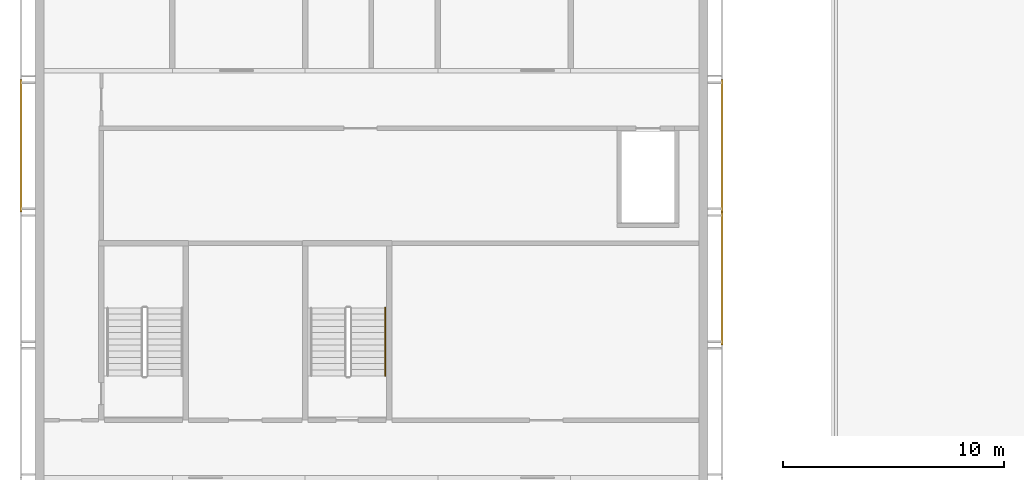
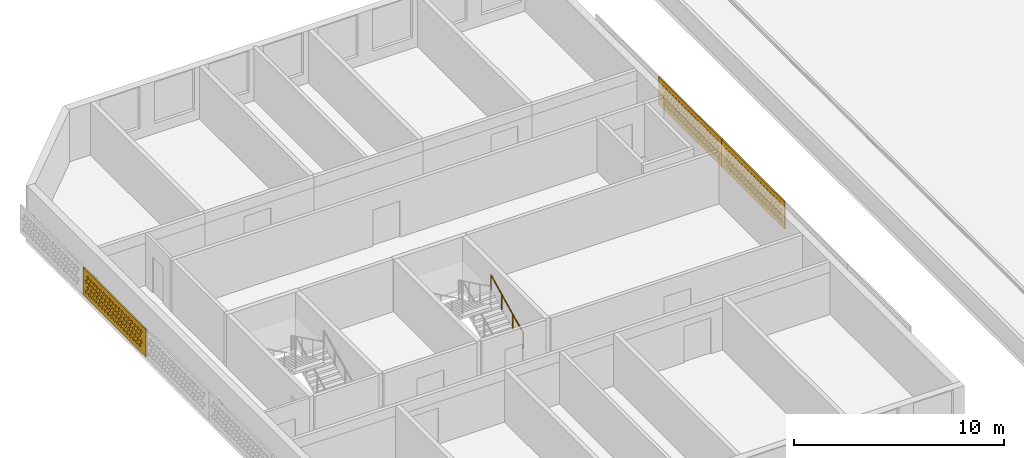
# One storey, part 14 of 18: 3 coverings, 1 railing.
"""IFC4 building model written with IfcOpenShell, lengths in metres."""

from ifc_helpers import new_model, si_unit, direction, frame, origin, origin_2d, place, context, subcontext, project, spatial, polyline, circle, outline, extrude, source, transform, mapped, material, material_profile, profile_set, type_object, element, save


model = new_model("IFC4")

# Units and contexts
model_context = context("Model", 3, precision=1e-05, world=origin(), true_north=direction((0.0, 1.0)))
body_context = subcontext(model_context, "Body", "Model", "MODEL_VIEW")
ifc_project = project(units=[si_unit("LENGTHUNIT", "METRE"), si_unit("AREAUNIT", "SQUARE_METRE"), si_unit("VOLUMEUNIT", "CUBIC_METRE"), si_unit("PLANEANGLEUNIT", "RADIAN"), si_unit("MASSUNIT", "GRAM", prefix="KILO")], contexts=[model_context])

# Site, building, storey
site_placement = place(None, origin())
site = spatial("IfcSite", under=ifc_project, at=site_placement, CompositionType="ELEMENT")
building_placement = place(site_placement, origin())
building = spatial("IfcBuilding", under=site, at=building_placement, Name="Poui Terraces", CompositionType="ELEMENT")
storey_placement = place(building_placement, frame((0.0, 0.0, 285.60009765625)))
storey = spatial("IfcBuildingStorey", under=building, at=storey_placement, Name="L79 CROWN", CompositionType="ELEMENT", Elevation=285.60009765625)

# Railing
ifc_material_1 = material(Name="Stainless steel handrail", Category="steel")
railing_type = type_object("IfcRailingType", Name="STAIR HANDRAIL 900", PredefinedType="HANDRAIL", material=ifc_material_1)
railing_placement = place(storey_placement, frame((33.625, 16.60009765625, 0.137451171875)))
element("IfcRailing", 1, at=railing_placement, inside=storey, type_object=railing_type, Name="L79 CROWN ST-CW stair handrail 1", PredefinedType="HANDRAIL", context=body_context, shape_type="SweptSolid", body=[
    extrude(circle(Radius=0.02392578125, at=origin_2d()), frame((0.0, 0.0, 0.8759765625), z_axis=(0.0, 0.897606190399, 0.440798283751), x_axis=(-1.0, 0.0, 0.0)), (0.0, 0.0, 1.0), 3.43115234375),
    extrude(circle(Radius=0.02099609375, at=origin_2d()), origin(), (0.0, 0.0, 1.0), 0.851806640625),
    extrude(circle(Radius=0.02099609375, at=origin_2d()), frame((0.0, 1.026611328125, 0.504150390625)), (0.0, 0.0, 1.0), 0.851806640625),
    extrude(circle(Radius=0.02099609375, at=origin_2d()), frame((0.0, 2.05322265625, 1.00830078125)), (0.0, 0.0, 1.0), 0.851806640625),
    extrude(circle(Radius=0.02099609375, at=origin_2d()), frame((0.0, 3.079833984375, 1.512451171875)), (0.0, 0.0, 1.0), 0.851806640625),
])

# Coverings
ifc_material_2 = material(Name="Terracotta screen", Category="masonry")
ifc_material_profile = material_profile(ifc_material_2, outline(polyline([(-3.0, -0.800048828125), (3.0, -0.800048828125), (3.0, 0.800048828125), (-3.0, 0.800048828125), (-3.0, -0.800048828125)]), holes=[polyline([(-2.800048828125, -0.449951171875), (-2.68994140625, -0.56005859375), (-2.580078125, -0.449951171875), (-2.68994140625, -0.340087890625), (-2.800048828125, -0.449951171875)]), polyline([(-2.5, -0.449951171875), (-2.389892578125, -0.56005859375), (-2.280029296875, -0.449951171875), (-2.389892578125, -0.340087890625), (-2.5, -0.449951171875)]), polyline([(-2.199951171875, -0.449951171875), (-2.090087890625, -0.56005859375), (-1.97998046875, -0.449951171875), (-2.090087890625, -0.340087890625), (-2.199951171875, -0.449951171875)]), polyline([(-1.89990234375, -0.449951171875), (-1.7900390625, -0.56005859375), (-1.679931640625, -0.449951171875), (-1.7900390625, -0.340087890625), (-1.89990234375, -0.449951171875)]), polyline([(-1.60009765625, -0.449951171875), (-1.489990234375, -0.56005859375), (-1.3798828125, -0.449951171875), (-1.489990234375, -0.340087890625), (-1.60009765625, -0.449951171875)]), polyline([(-1.300048828125, -0.449951171875), (-1.18994140625, -0.56005859375), (-1.080078125, -0.449951171875), (-1.18994140625, -0.340087890625), (-1.300048828125, -0.449951171875)]), polyline([(-1.0, -0.449951171875), (-0.889892578125, -0.56005859375), (-0.780029296875, -0.449951171875), (-0.889892578125, -0.340087890625), (-1.0, -0.449951171875)]), polyline([(-0.699951171875, -0.449951171875), (-0.590087890625, -0.56005859375), (-0.47998046875, -0.449951171875), (-0.590087890625, -0.340087890625), (-0.699951171875, -0.449951171875)]), polyline([(-0.39990234375, -0.449951171875), (-0.2900390625, -0.56005859375), (-0.179931640625, -0.449951171875), (-0.2900390625, -0.340087890625), (-0.39990234375, -0.449951171875)]), polyline([(-0.10009765625, -0.449951171875), (0.010009765625, -0.56005859375), (0.1201171875, -0.449951171875), (0.010009765625, -0.340087890625), (-0.10009765625, -0.449951171875)]), polyline([(0.199951171875, -0.449951171875), (0.31005859375, -0.56005859375), (0.419921875, -0.449951171875), (0.31005859375, -0.340087890625), (0.199951171875, -0.449951171875)]), polyline([(0.5, -0.449951171875), (0.610107421875, -0.56005859375), (0.719970703125, -0.449951171875), (0.610107421875, -0.340087890625), (0.5, -0.449951171875)]), polyline([(0.800048828125, -0.449951171875), (0.909912109375, -0.56005859375), (1.02001953125, -0.449951171875), (0.909912109375, -0.340087890625), (0.800048828125, -0.449951171875)]), polyline([(1.10009765625, -0.449951171875), (1.2099609375, -0.56005859375), (1.320068359375, -0.449951171875), (1.2099609375, -0.340087890625), (1.10009765625, -0.449951171875)]), polyline([(1.39990234375, -0.449951171875), (1.510009765625, -0.56005859375), (1.6201171875, -0.449951171875), (1.510009765625, -0.340087890625), (1.39990234375, -0.449951171875)]), polyline([(1.699951171875, -0.449951171875), (1.81005859375, -0.56005859375), (1.919921875, -0.449951171875), (1.81005859375, -0.340087890625), (1.699951171875, -0.449951171875)]), polyline([(2.0, -0.449951171875), (2.110107421875, -0.56005859375), (2.219970703125, -0.449951171875), (2.110107421875, -0.340087890625), (2.0, -0.449951171875)]), polyline([(2.300048828125, -0.449951171875), (2.409912109375, -0.56005859375), (2.52001953125, -0.449951171875), (2.409912109375, -0.340087890625), (2.300048828125, -0.449951171875)]), polyline([(-2.64990234375, -0.14990234375), (-2.5400390625, -0.260009765625), (-2.429931640625, -0.14990234375), (-2.5400390625, -0.0400390625), (-2.64990234375, -0.14990234375)]), polyline([(-2.35009765625, -0.14990234375), (-2.239990234375, -0.260009765625), (-2.1298828125, -0.14990234375), (-2.239990234375, -0.0400390625), (-2.35009765625, -0.14990234375)]), polyline([(-2.050048828125, -0.14990234375), (-1.93994140625, -0.260009765625), (-1.830078125, -0.14990234375), (-1.93994140625, -0.0400390625), (-2.050048828125, -0.14990234375)]), polyline([(-1.75, -0.14990234375), (-1.639892578125, -0.260009765625), (-1.530029296875, -0.14990234375), (-1.639892578125, -0.0400390625), (-1.75, -0.14990234375)]), polyline([(-1.449951171875, -0.14990234375), (-1.340087890625, -0.260009765625), (-1.22998046875, -0.14990234375), (-1.340087890625, -0.0400390625), (-1.449951171875, -0.14990234375)]), polyline([(-1.14990234375, -0.14990234375), (-1.0400390625, -0.260009765625), (-0.929931640625, -0.14990234375), (-1.0400390625, -0.0400390625), (-1.14990234375, -0.14990234375)]), polyline([(-0.85009765625, -0.14990234375), (-0.739990234375, -0.260009765625), (-0.6298828125, -0.14990234375), (-0.739990234375, -0.0400390625), (-0.85009765625, -0.14990234375)]), polyline([(-0.550048828125, -0.14990234375), (-0.43994140625, -0.260009765625), (-0.330078125, -0.14990234375), (-0.43994140625, -0.0400390625), (-0.550048828125, -0.14990234375)]), polyline([(-0.25, -0.14990234375), (-0.139892578125, -0.260009765625), (-0.030029296875, -0.14990234375), (-0.139892578125, -0.0400390625), (-0.25, -0.14990234375)]), polyline([(0.050048828125, -0.14990234375), (0.159912109375, -0.260009765625), (0.27001953125, -0.14990234375), (0.159912109375, -0.0400390625), (0.050048828125, -0.14990234375)]), polyline([(0.35009765625, -0.14990234375), (0.4599609375, -0.260009765625), (0.570068359375, -0.14990234375), (0.4599609375, -0.0400390625), (0.35009765625, -0.14990234375)]), polyline([(0.64990234375, -0.14990234375), (0.760009765625, -0.260009765625), (0.8701171875, -0.14990234375), (0.760009765625, -0.0400390625), (0.64990234375, -0.14990234375)]), polyline([(0.949951171875, -0.14990234375), (1.06005859375, -0.260009765625), (1.169921875, -0.14990234375), (1.06005859375, -0.0400390625), (0.949951171875, -0.14990234375)]), polyline([(1.25, -0.14990234375), (1.360107421875, -0.260009765625), (1.469970703125, -0.14990234375), (1.360107421875, -0.0400390625), (1.25, -0.14990234375)]), polyline([(1.550048828125, -0.14990234375), (1.659912109375, -0.260009765625), (1.77001953125, -0.14990234375), (1.659912109375, -0.0400390625), (1.550048828125, -0.14990234375)]), polyline([(1.85009765625, -0.14990234375), (1.9599609375, -0.260009765625), (2.070068359375, -0.14990234375), (1.9599609375, -0.0400390625), (1.85009765625, -0.14990234375)]), polyline([(2.14990234375, -0.14990234375), (2.260009765625, -0.260009765625), (2.3701171875, -0.14990234375), (2.260009765625, -0.0400390625), (2.14990234375, -0.14990234375)]), polyline([(2.449951171875, -0.14990234375), (2.56005859375, -0.260009765625), (2.669921875, -0.14990234375), (2.56005859375, -0.0400390625), (2.449951171875, -0.14990234375)]), polyline([(-2.800048828125, 0.14990234375), (-2.68994140625, 0.0400390625), (-2.580078125, 0.14990234375), (-2.68994140625, 0.260009765625), (-2.800048828125, 0.14990234375)]), polyline([(-2.5, 0.14990234375), (-2.389892578125, 0.0400390625), (-2.280029296875, 0.14990234375), (-2.389892578125, 0.260009765625), (-2.5, 0.14990234375)]), polyline([(-2.199951171875, 0.14990234375), (-2.090087890625, 0.0400390625), (-1.97998046875, 0.14990234375), (-2.090087890625, 0.260009765625), (-2.199951171875, 0.14990234375)]), polyline([(-1.89990234375, 0.14990234375), (-1.7900390625, 0.0400390625), (-1.679931640625, 0.14990234375), (-1.7900390625, 0.260009765625), (-1.89990234375, 0.14990234375)]), polyline([(-1.60009765625, 0.14990234375), (-1.489990234375, 0.0400390625), (-1.3798828125, 0.14990234375), (-1.489990234375, 0.260009765625), (-1.60009765625, 0.14990234375)]), polyline([(-1.300048828125, 0.14990234375), (-1.18994140625, 0.0400390625), (-1.080078125, 0.14990234375), (-1.18994140625, 0.260009765625), (-1.300048828125, 0.14990234375)]), polyline([(-1.0, 0.14990234375), (-0.889892578125, 0.0400390625), (-0.780029296875, 0.14990234375), (-0.889892578125, 0.260009765625), (-1.0, 0.14990234375)]), polyline([(-0.699951171875, 0.14990234375), (-0.590087890625, 0.0400390625), (-0.47998046875, 0.14990234375), (-0.590087890625, 0.260009765625), (-0.699951171875, 0.14990234375)]), polyline([(-0.39990234375, 0.14990234375), (-0.2900390625, 0.0400390625), (-0.179931640625, 0.14990234375), (-0.2900390625, 0.260009765625), (-0.39990234375, 0.14990234375)]), polyline([(-0.10009765625, 0.14990234375), (0.010009765625, 0.0400390625), (0.1201171875, 0.14990234375), (0.010009765625, 0.260009765625), (-0.10009765625, 0.14990234375)]), polyline([(0.199951171875, 0.14990234375), (0.31005859375, 0.0400390625), (0.419921875, 0.14990234375), (0.31005859375, 0.260009765625), (0.199951171875, 0.14990234375)]), polyline([(0.5, 0.14990234375), (0.610107421875, 0.0400390625), (0.719970703125, 0.14990234375), (0.610107421875, 0.260009765625), (0.5, 0.14990234375)]), polyline([(0.800048828125, 0.14990234375), (0.909912109375, 0.0400390625), (1.02001953125, 0.14990234375), (0.909912109375, 0.260009765625), (0.800048828125, 0.14990234375)]), polyline([(1.10009765625, 0.14990234375), (1.2099609375, 0.0400390625), (1.320068359375, 0.14990234375), (1.2099609375, 0.260009765625), (1.10009765625, 0.14990234375)]), polyline([(1.39990234375, 0.14990234375), (1.510009765625, 0.0400390625), (1.6201171875, 0.14990234375), (1.510009765625, 0.260009765625), (1.39990234375, 0.14990234375)]), polyline([(1.699951171875, 0.14990234375), (1.81005859375, 0.0400390625), (1.919921875, 0.14990234375), (1.81005859375, 0.260009765625), (1.699951171875, 0.14990234375)]), polyline([(2.0, 0.14990234375), (2.110107421875, 0.0400390625), (2.219970703125, 0.14990234375), (2.110107421875, 0.260009765625), (2.0, 0.14990234375)]), polyline([(2.300048828125, 0.14990234375), (2.409912109375, 0.0400390625), (2.52001953125, 0.14990234375), (2.409912109375, 0.260009765625), (2.300048828125, 0.14990234375)]), polyline([(-2.64990234375, 0.449951171875), (-2.5400390625, 0.340087890625), (-2.429931640625, 0.449951171875), (-2.5400390625, 0.56005859375), (-2.64990234375, 0.449951171875)]), polyline([(-2.35009765625, 0.449951171875), (-2.239990234375, 0.340087890625), (-2.1298828125, 0.449951171875), (-2.239990234375, 0.56005859375), (-2.35009765625, 0.449951171875)]), polyline([(-2.050048828125, 0.449951171875), (-1.93994140625, 0.340087890625), (-1.830078125, 0.449951171875), (-1.93994140625, 0.56005859375), (-2.050048828125, 0.449951171875)]), polyline([(-1.75, 0.449951171875), (-1.639892578125, 0.340087890625), (-1.530029296875, 0.449951171875), (-1.639892578125, 0.56005859375), (-1.75, 0.449951171875)]), polyline([(-1.449951171875, 0.449951171875), (-1.340087890625, 0.340087890625), (-1.22998046875, 0.449951171875), (-1.340087890625, 0.56005859375), (-1.449951171875, 0.449951171875)]), polyline([(-1.14990234375, 0.449951171875), (-1.0400390625, 0.340087890625), (-0.929931640625, 0.449951171875), (-1.0400390625, 0.56005859375), (-1.14990234375, 0.449951171875)]), polyline([(-0.85009765625, 0.449951171875), (-0.739990234375, 0.340087890625), (-0.6298828125, 0.449951171875), (-0.739990234375, 0.56005859375), (-0.85009765625, 0.449951171875)]), polyline([(-0.550048828125, 0.449951171875), (-0.43994140625, 0.340087890625), (-0.330078125, 0.449951171875), (-0.43994140625, 0.56005859375), (-0.550048828125, 0.449951171875)]), polyline([(-0.25, 0.449951171875), (-0.139892578125, 0.340087890625), (-0.030029296875, 0.449951171875), (-0.139892578125, 0.56005859375), (-0.25, 0.449951171875)]), polyline([(0.050048828125, 0.449951171875), (0.159912109375, 0.340087890625), (0.27001953125, 0.449951171875), (0.159912109375, 0.56005859375), (0.050048828125, 0.449951171875)]), polyline([(0.35009765625, 0.449951171875), (0.4599609375, 0.340087890625), (0.570068359375, 0.449951171875), (0.4599609375, 0.56005859375), (0.35009765625, 0.449951171875)]), polyline([(0.64990234375, 0.449951171875), (0.760009765625, 0.340087890625), (0.8701171875, 0.449951171875), (0.760009765625, 0.56005859375), (0.64990234375, 0.449951171875)]), polyline([(0.949951171875, 0.449951171875), (1.06005859375, 0.340087890625), (1.169921875, 0.449951171875), (1.06005859375, 0.56005859375), (0.949951171875, 0.449951171875)]), polyline([(1.25, 0.449951171875), (1.360107421875, 0.340087890625), (1.469970703125, 0.449951171875), (1.360107421875, 0.56005859375), (1.25, 0.449951171875)]), polyline([(1.550048828125, 0.449951171875), (1.659912109375, 0.340087890625), (1.77001953125, 0.449951171875), (1.659912109375, 0.56005859375), (1.550048828125, 0.449951171875)]), polyline([(1.85009765625, 0.449951171875), (1.9599609375, 0.340087890625), (2.070068359375, 0.449951171875), (1.9599609375, 0.56005859375), (1.85009765625, 0.449951171875)]), polyline([(2.14990234375, 0.449951171875), (2.260009765625, 0.340087890625), (2.3701171875, 0.449951171875), (2.260009765625, 0.56005859375), (2.14990234375, 0.449951171875)]), polyline([(2.449951171875, 0.449951171875), (2.56005859375, 0.340087890625), (2.669921875, 0.449951171875), (2.56005859375, 0.56005859375), (2.449951171875, 0.449951171875)])]), Name="TERRACOTTA SOLAR SCREEN 6000X1600")
ifc_profile_set = profile_set([ifc_material_profile], Name="Terracotta screen")
covering_type = type_object("IfcCoveringType", Name="TERRACOTTA SOLAR SCREEN 6000X1600", PredefinedType="CLADDING", material=ifc_profile_set)
shared_shape = source(origin(), body_context, "Body", "SweptSolid", [
    extrude(outline(polyline([(-3.0, -0.800048828125), (3.0, -0.800048828125), (3.0, 0.800048828125), (-3.0, 0.800048828125), (-3.0, -0.800048828125)]), holes=[polyline([(-2.800048828125, -0.449951171875), (-2.68994140625, -0.56005859375), (-2.580078125, -0.449951171875), (-2.68994140625, -0.340087890625), (-2.800048828125, -0.449951171875)]), polyline([(-2.5, -0.449951171875), (-2.389892578125, -0.56005859375), (-2.280029296875, -0.449951171875), (-2.389892578125, -0.340087890625), (-2.5, -0.449951171875)]), polyline([(-2.199951171875, -0.449951171875), (-2.090087890625, -0.56005859375), (-1.97998046875, -0.449951171875), (-2.090087890625, -0.340087890625), (-2.199951171875, -0.449951171875)]), polyline([(-1.89990234375, -0.449951171875), (-1.7900390625, -0.56005859375), (-1.679931640625, -0.449951171875), (-1.7900390625, -0.340087890625), (-1.89990234375, -0.449951171875)]), polyline([(-1.60009765625, -0.449951171875), (-1.489990234375, -0.56005859375), (-1.3798828125, -0.449951171875), (-1.489990234375, -0.340087890625), (-1.60009765625, -0.449951171875)]), polyline([(-1.300048828125, -0.449951171875), (-1.18994140625, -0.56005859375), (-1.080078125, -0.449951171875), (-1.18994140625, -0.340087890625), (-1.300048828125, -0.449951171875)]), polyline([(-1.0, -0.449951171875), (-0.889892578125, -0.56005859375), (-0.780029296875, -0.449951171875), (-0.889892578125, -0.340087890625), (-1.0, -0.449951171875)]), polyline([(-0.699951171875, -0.449951171875), (-0.590087890625, -0.56005859375), (-0.47998046875, -0.449951171875), (-0.590087890625, -0.340087890625), (-0.699951171875, -0.449951171875)]), polyline([(-0.39990234375, -0.449951171875), (-0.2900390625, -0.56005859375), (-0.179931640625, -0.449951171875), (-0.2900390625, -0.340087890625), (-0.39990234375, -0.449951171875)]), polyline([(-0.10009765625, -0.449951171875), (0.010009765625, -0.56005859375), (0.1201171875, -0.449951171875), (0.010009765625, -0.340087890625), (-0.10009765625, -0.449951171875)]), polyline([(0.199951171875, -0.449951171875), (0.31005859375, -0.56005859375), (0.419921875, -0.449951171875), (0.31005859375, -0.340087890625), (0.199951171875, -0.449951171875)]), polyline([(0.5, -0.449951171875), (0.610107421875, -0.56005859375), (0.719970703125, -0.449951171875), (0.610107421875, -0.340087890625), (0.5, -0.449951171875)]), polyline([(0.800048828125, -0.449951171875), (0.909912109375, -0.56005859375), (1.02001953125, -0.449951171875), (0.909912109375, -0.340087890625), (0.800048828125, -0.449951171875)]), polyline([(1.10009765625, -0.449951171875), (1.2099609375, -0.56005859375), (1.320068359375, -0.449951171875), (1.2099609375, -0.340087890625), (1.10009765625, -0.449951171875)]), polyline([(1.39990234375, -0.449951171875), (1.510009765625, -0.56005859375), (1.6201171875, -0.449951171875), (1.510009765625, -0.340087890625), (1.39990234375, -0.449951171875)]), polyline([(1.699951171875, -0.449951171875), (1.81005859375, -0.56005859375), (1.919921875, -0.449951171875), (1.81005859375, -0.340087890625), (1.699951171875, -0.449951171875)]), polyline([(2.0, -0.449951171875), (2.110107421875, -0.56005859375), (2.219970703125, -0.449951171875), (2.110107421875, -0.340087890625), (2.0, -0.449951171875)]), polyline([(2.300048828125, -0.449951171875), (2.409912109375, -0.56005859375), (2.52001953125, -0.449951171875), (2.409912109375, -0.340087890625), (2.300048828125, -0.449951171875)]), polyline([(-2.64990234375, -0.14990234375), (-2.5400390625, -0.260009765625), (-2.429931640625, -0.14990234375), (-2.5400390625, -0.0400390625), (-2.64990234375, -0.14990234375)]), polyline([(-2.35009765625, -0.14990234375), (-2.239990234375, -0.260009765625), (-2.1298828125, -0.14990234375), (-2.239990234375, -0.0400390625), (-2.35009765625, -0.14990234375)]), polyline([(-2.050048828125, -0.14990234375), (-1.93994140625, -0.260009765625), (-1.830078125, -0.14990234375), (-1.93994140625, -0.0400390625), (-2.050048828125, -0.14990234375)]), polyline([(-1.75, -0.14990234375), (-1.639892578125, -0.260009765625), (-1.530029296875, -0.14990234375), (-1.639892578125, -0.0400390625), (-1.75, -0.14990234375)]), polyline([(-1.449951171875, -0.14990234375), (-1.340087890625, -0.260009765625), (-1.22998046875, -0.14990234375), (-1.340087890625, -0.0400390625), (-1.449951171875, -0.14990234375)]), polyline([(-1.14990234375, -0.14990234375), (-1.0400390625, -0.260009765625), (-0.929931640625, -0.14990234375), (-1.0400390625, -0.0400390625), (-1.14990234375, -0.14990234375)]), polyline([(-0.85009765625, -0.14990234375), (-0.739990234375, -0.260009765625), (-0.6298828125, -0.14990234375), (-0.739990234375, -0.0400390625), (-0.85009765625, -0.14990234375)]), polyline([(-0.550048828125, -0.14990234375), (-0.43994140625, -0.260009765625), (-0.330078125, -0.14990234375), (-0.43994140625, -0.0400390625), (-0.550048828125, -0.14990234375)]), polyline([(-0.25, -0.14990234375), (-0.139892578125, -0.260009765625), (-0.030029296875, -0.14990234375), (-0.139892578125, -0.0400390625), (-0.25, -0.14990234375)]), polyline([(0.050048828125, -0.14990234375), (0.159912109375, -0.260009765625), (0.27001953125, -0.14990234375), (0.159912109375, -0.0400390625), (0.050048828125, -0.14990234375)]), polyline([(0.35009765625, -0.14990234375), (0.4599609375, -0.260009765625), (0.570068359375, -0.14990234375), (0.4599609375, -0.0400390625), (0.35009765625, -0.14990234375)]), polyline([(0.64990234375, -0.14990234375), (0.760009765625, -0.260009765625), (0.8701171875, -0.14990234375), (0.760009765625, -0.0400390625), (0.64990234375, -0.14990234375)]), polyline([(0.949951171875, -0.14990234375), (1.06005859375, -0.260009765625), (1.169921875, -0.14990234375), (1.06005859375, -0.0400390625), (0.949951171875, -0.14990234375)]), polyline([(1.25, -0.14990234375), (1.360107421875, -0.260009765625), (1.469970703125, -0.14990234375), (1.360107421875, -0.0400390625), (1.25, -0.14990234375)]), polyline([(1.550048828125, -0.14990234375), (1.659912109375, -0.260009765625), (1.77001953125, -0.14990234375), (1.659912109375, -0.0400390625), (1.550048828125, -0.14990234375)]), polyline([(1.85009765625, -0.14990234375), (1.9599609375, -0.260009765625), (2.070068359375, -0.14990234375), (1.9599609375, -0.0400390625), (1.85009765625, -0.14990234375)]), polyline([(2.14990234375, -0.14990234375), (2.260009765625, -0.260009765625), (2.3701171875, -0.14990234375), (2.260009765625, -0.0400390625), (2.14990234375, -0.14990234375)]), polyline([(2.449951171875, -0.14990234375), (2.56005859375, -0.260009765625), (2.669921875, -0.14990234375), (2.56005859375, -0.0400390625), (2.449951171875, -0.14990234375)]), polyline([(-2.800048828125, 0.14990234375), (-2.68994140625, 0.0400390625), (-2.580078125, 0.14990234375), (-2.68994140625, 0.260009765625), (-2.800048828125, 0.14990234375)]), polyline([(-2.5, 0.14990234375), (-2.389892578125, 0.0400390625), (-2.280029296875, 0.14990234375), (-2.389892578125, 0.260009765625), (-2.5, 0.14990234375)]), polyline([(-2.199951171875, 0.14990234375), (-2.090087890625, 0.0400390625), (-1.97998046875, 0.14990234375), (-2.090087890625, 0.260009765625), (-2.199951171875, 0.14990234375)]), polyline([(-1.89990234375, 0.14990234375), (-1.7900390625, 0.0400390625), (-1.679931640625, 0.14990234375), (-1.7900390625, 0.260009765625), (-1.89990234375, 0.14990234375)]), polyline([(-1.60009765625, 0.14990234375), (-1.489990234375, 0.0400390625), (-1.3798828125, 0.14990234375), (-1.489990234375, 0.260009765625), (-1.60009765625, 0.14990234375)]), polyline([(-1.300048828125, 0.14990234375), (-1.18994140625, 0.0400390625), (-1.080078125, 0.14990234375), (-1.18994140625, 0.260009765625), (-1.300048828125, 0.14990234375)]), polyline([(-1.0, 0.14990234375), (-0.889892578125, 0.0400390625), (-0.780029296875, 0.14990234375), (-0.889892578125, 0.260009765625), (-1.0, 0.14990234375)]), polyline([(-0.699951171875, 0.14990234375), (-0.590087890625, 0.0400390625), (-0.47998046875, 0.14990234375), (-0.590087890625, 0.260009765625), (-0.699951171875, 0.14990234375)]), polyline([(-0.39990234375, 0.14990234375), (-0.2900390625, 0.0400390625), (-0.179931640625, 0.14990234375), (-0.2900390625, 0.260009765625), (-0.39990234375, 0.14990234375)]), polyline([(-0.10009765625, 0.14990234375), (0.010009765625, 0.0400390625), (0.1201171875, 0.14990234375), (0.010009765625, 0.260009765625), (-0.10009765625, 0.14990234375)]), polyline([(0.199951171875, 0.14990234375), (0.31005859375, 0.0400390625), (0.419921875, 0.14990234375), (0.31005859375, 0.260009765625), (0.199951171875, 0.14990234375)]), polyline([(0.5, 0.14990234375), (0.610107421875, 0.0400390625), (0.719970703125, 0.14990234375), (0.610107421875, 0.260009765625), (0.5, 0.14990234375)]), polyline([(0.800048828125, 0.14990234375), (0.909912109375, 0.0400390625), (1.02001953125, 0.14990234375), (0.909912109375, 0.260009765625), (0.800048828125, 0.14990234375)]), polyline([(1.10009765625, 0.14990234375), (1.2099609375, 0.0400390625), (1.320068359375, 0.14990234375), (1.2099609375, 0.260009765625), (1.10009765625, 0.14990234375)]), polyline([(1.39990234375, 0.14990234375), (1.510009765625, 0.0400390625), (1.6201171875, 0.14990234375), (1.510009765625, 0.260009765625), (1.39990234375, 0.14990234375)]), polyline([(1.699951171875, 0.14990234375), (1.81005859375, 0.0400390625), (1.919921875, 0.14990234375), (1.81005859375, 0.260009765625), (1.699951171875, 0.14990234375)]), polyline([(2.0, 0.14990234375), (2.110107421875, 0.0400390625), (2.219970703125, 0.14990234375), (2.110107421875, 0.260009765625), (2.0, 0.14990234375)]), polyline([(2.300048828125, 0.14990234375), (2.409912109375, 0.0400390625), (2.52001953125, 0.14990234375), (2.409912109375, 0.260009765625), (2.300048828125, 0.14990234375)]), polyline([(-2.64990234375, 0.449951171875), (-2.5400390625, 0.340087890625), (-2.429931640625, 0.449951171875), (-2.5400390625, 0.56005859375), (-2.64990234375, 0.449951171875)]), polyline([(-2.35009765625, 0.449951171875), (-2.239990234375, 0.340087890625), (-2.1298828125, 0.449951171875), (-2.239990234375, 0.56005859375), (-2.35009765625, 0.449951171875)]), polyline([(-2.050048828125, 0.449951171875), (-1.93994140625, 0.340087890625), (-1.830078125, 0.449951171875), (-1.93994140625, 0.56005859375), (-2.050048828125, 0.449951171875)]), polyline([(-1.75, 0.449951171875), (-1.639892578125, 0.340087890625), (-1.530029296875, 0.449951171875), (-1.639892578125, 0.56005859375), (-1.75, 0.449951171875)]), polyline([(-1.449951171875, 0.449951171875), (-1.340087890625, 0.340087890625), (-1.22998046875, 0.449951171875), (-1.340087890625, 0.56005859375), (-1.449951171875, 0.449951171875)]), polyline([(-1.14990234375, 0.449951171875), (-1.0400390625, 0.340087890625), (-0.929931640625, 0.449951171875), (-1.0400390625, 0.56005859375), (-1.14990234375, 0.449951171875)]), polyline([(-0.85009765625, 0.449951171875), (-0.739990234375, 0.340087890625), (-0.6298828125, 0.449951171875), (-0.739990234375, 0.56005859375), (-0.85009765625, 0.449951171875)]), polyline([(-0.550048828125, 0.449951171875), (-0.43994140625, 0.340087890625), (-0.330078125, 0.449951171875), (-0.43994140625, 0.56005859375), (-0.550048828125, 0.449951171875)]), polyline([(-0.25, 0.449951171875), (-0.139892578125, 0.340087890625), (-0.030029296875, 0.449951171875), (-0.139892578125, 0.56005859375), (-0.25, 0.449951171875)]), polyline([(0.050048828125, 0.449951171875), (0.159912109375, 0.340087890625), (0.27001953125, 0.449951171875), (0.159912109375, 0.56005859375), (0.050048828125, 0.449951171875)]), polyline([(0.35009765625, 0.449951171875), (0.4599609375, 0.340087890625), (0.570068359375, 0.449951171875), (0.4599609375, 0.56005859375), (0.35009765625, 0.449951171875)]), polyline([(0.64990234375, 0.449951171875), (0.760009765625, 0.340087890625), (0.8701171875, 0.449951171875), (0.760009765625, 0.56005859375), (0.64990234375, 0.449951171875)]), polyline([(0.949951171875, 0.449951171875), (1.06005859375, 0.340087890625), (1.169921875, 0.449951171875), (1.06005859375, 0.56005859375), (0.949951171875, 0.449951171875)]), polyline([(1.25, 0.449951171875), (1.360107421875, 0.340087890625), (1.469970703125, 0.449951171875), (1.360107421875, 0.56005859375), (1.25, 0.449951171875)]), polyline([(1.550048828125, 0.449951171875), (1.659912109375, 0.340087890625), (1.77001953125, 0.449951171875), (1.659912109375, 0.56005859375), (1.550048828125, 0.449951171875)]), polyline([(1.85009765625, 0.449951171875), (1.9599609375, 0.340087890625), (2.070068359375, 0.449951171875), (1.9599609375, 0.56005859375), (1.85009765625, 0.449951171875)]), polyline([(2.14990234375, 0.449951171875), (2.260009765625, 0.340087890625), (2.3701171875, 0.449951171875), (2.260009765625, 0.56005859375), (2.14990234375, 0.449951171875)]), polyline([(2.449951171875, 0.449951171875), (2.56005859375, 0.340087890625), (2.669921875, 0.449951171875), (2.56005859375, 0.56005859375), (2.449951171875, 0.449951171875)])]), origin(), (0.0, 0.0, 1.0), 0.079833984375),
])
for number, where, z_axis, x_axis, name in (
    (2, (48.800048828125, 21.0, 1.699951171875), (1.0, 0.0, 0.0), (0.0, 1.0, 0.0), "SOLAR SCREEN"),
    (3, (48.800048828125, 27.0, 1.699951171875), (1.0, 0.0, 0.0), (0.0, 1.0, 0.0), "SOLAR SCREEN"),
    (4, (17.199951171875, 27.0, 1.699951171875), (-1.0, 0.0, 0.0), (0.0, -1.0, 0.0), "SOLAR SCREEN"),
):
    element("IfcCovering", number, at=place(storey_placement, frame(where, z_axis=z_axis, x_axis=x_axis)), inside=storey, type_object=covering_type, Name=name, PredefinedType="CLADDING", context=body_context, shape_type="MappedRepresentation", body=[
        mapped(shared_shape, transform((0.0, 0.0, 0.0))),
    ])

save(model, "model.ifc")
